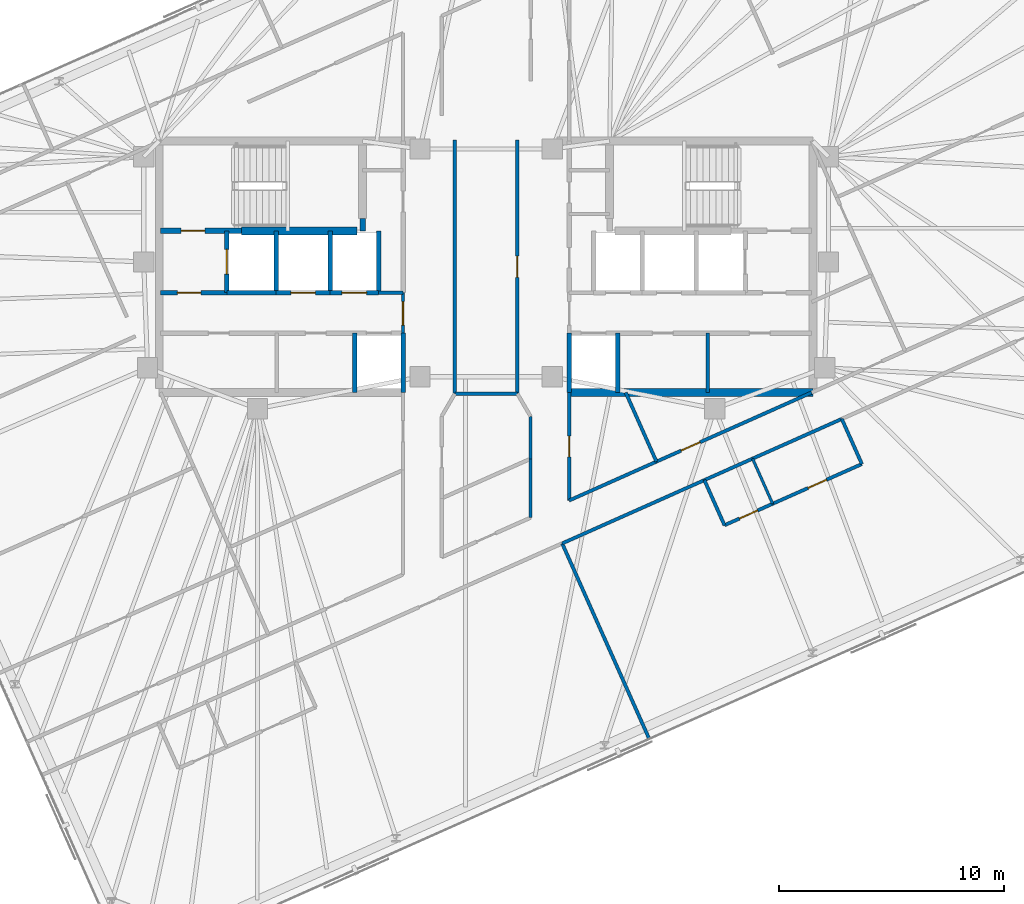
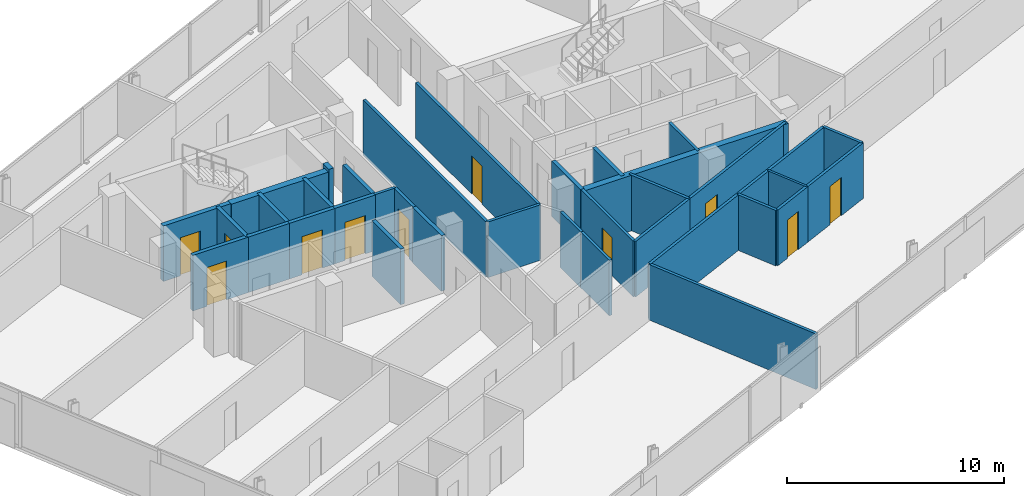
# One storey, part 14 of 18: 37 walls, 11 doors, 11 openings.
"""IFC4 building model written with IfcOpenShell, lengths in metres."""

from ifc_helpers import new_model, si_unit, direction, frame, frame_2d, origin, place, context, subcontext, project, spatial, rectangle, extrude, material, layer, layer_set, type_object, element, fill, save


model = new_model("IFC4")

# Units and contexts
model_context = context("Model", 3, precision=1e-05, world=origin(), true_north=direction((0.0, 1.0)))
body_context = subcontext(model_context, "Body", "Model", "MODEL_VIEW")
ifc_project = project(units=[si_unit("LENGTHUNIT", "METRE"), si_unit("AREAUNIT", "SQUARE_METRE"), si_unit("VOLUMEUNIT", "CUBIC_METRE"), si_unit("PLANEANGLEUNIT", "RADIAN"), si_unit("MASSUNIT", "GRAM", prefix="KILO")], contexts=[model_context])

# Site, building, storey
site_placement = place(None, origin())
site = spatial("IfcSite", under=ifc_project, at=site_placement, CompositionType="ELEMENT")
building_placement = place(site_placement, origin())
building = spatial("IfcBuilding", under=site, at=building_placement, Name="Menara Jurai Vektor", CompositionType="ELEMENT")
storey_placement = place(building_placement, frame((0.0, 0.0, 258.85009765625)))
storey = spatial("IfcBuildingStorey", under=building, at=storey_placement, Name="L69", CompositionType="ELEMENT", Elevation=258.85009765625)

# Wall, opening, door
ifc_material_1 = material(Name="Concrete C40/50", Category="concrete")
ifc_layer_1 = layer(ifc_material_1, 0.25)
ifc_layer_set_1 = layer_set([ifc_layer_1], Name="Concrete C40/50")
wall_type_1 = type_object("IfcWallType", Name="INT-WALL-CORE-250", PredefinedType="STANDARD", material=ifc_layer_set_1)
wall_1_placement = place(storey_placement, frame((-14.5, 1.60009765625, 0.0), z_axis=(0.0, 0.0, 1.0), x_axis=(1.0, 0.0, 0.0)))
wall_1 = element("IfcWall", 1, at=wall_1_placement, inside=storey, type_object=wall_type_1, Name="Interior Wall IW-250 L69", PredefinedType="STANDARD", context=body_context, shape_type="SweptSolid", body=[
    extrude(rectangle(XDim=3.60009765625, YDim=0.25, at=frame_2d((1.800048828125, 0.0))), origin(), (0.0, 0.0, 1.0), 3.125),
])
opening_1_placement = place(wall_1_placement, frame((0.919921875, 0.0, 0.0)))
opening_1 = element("IfcOpeningElement", 2, at=opening_1_placement, cuts=wall_1, Name="Opening D-L69-ST1", PredefinedType="OPENING", context=body_context, shape_type="SweptSolid", body=[
    extrude(rectangle(XDim=1.050048828125, YDim=2.14990234375, at=frame_2d((0.52490234375, 1.074951171875))), frame((0.0, 0.135009765625, 0.0), z_axis=(0.0, -1.0, 0.0), x_axis=(1.0, 0.0, 0.0)), (0.0, 0.0, 1.0), 0.27001953125),
])
ifc_material_2 = material(Name="Fire-Rated Steel Door", Category="steel")
door_type_1 = type_object("IfcDoorType", Name="DR-STAIR-1050", OperationType="NOTDEFINED", PredefinedType="DOOR", material=ifc_material_2)
door_1_placement = place(opening_1_placement, origin())
door_1 = element("IfcDoor", 3, at=door_1_placement, inside=storey, type_object=door_type_1, Name="Exit Stair ST1 Door L69", OperationType="SINGLE_SWING_RIGHT", OverallHeight=2.14990234375, OverallWidth=1.050048828125, PredefinedType="DOOR", context=body_context, shape_type="SweptSolid", body=[
    extrude(rectangle(XDim=1.050048828125, YDim=2.14990234375, at=frame_2d((0.52490234375, 1.074951171875))), frame((0.0, 0.02490234375, 0.0), z_axis=(0.0, -1.0, 0.0), x_axis=(1.0, 0.0, 0.0)), (0.0, 0.0, 1.0), 0.050048828125),
])
fill(opening_1, door_1)

# Wall
wall_2_placement = place(storey_placement, frame((-5.5, 1.60009765625, 0.0), z_axis=(0.0, 0.0, 1.0), x_axis=(0.0, 1.0, 0.0)))
element("IfcWall", 4, at=wall_2_placement, inside=storey, type_object=wall_type_1, Name="Interior Wall IW-250 L69", PredefinedType="STANDARD", context=body_context, shape_type="SweptSolid", body=[
    extrude(rectangle(XDim=0.5498046875, YDim=0.25, at=frame_2d((0.27490234375, 0.0))), origin(), (0.0, 0.0, 1.0), 3.125),
])

# Wall, opening, door
wall_3_placement = place(storey_placement, frame((-11.550048828125, -1.14990234375, 0.0), z_axis=(0.0, 0.0, 1.0), x_axis=(0.0, 1.0, 0.0)))
wall_3 = element("IfcWall", 5, at=wall_3_placement, inside=storey, type_object=wall_type_1, Name="Interior Wall IW-250 L69", PredefinedType="STANDARD", context=body_context, shape_type="SweptSolid", body=[
    extrude(rectangle(XDim=2.75, YDim=0.199951171875, at=frame_2d((1.375, 0.0))), origin(), (0.0, 0.0, 1.0), 3.125),
])
opening_2_placement = place(wall_3_placement, frame((0.824951171875, 0.0, 0.0)))
opening_2 = element("IfcOpeningElement", 6, at=opening_2_placement, cuts=wall_3, Name="Opening LD-L69-FL1", PredefinedType="OPENING", context=body_context, shape_type="SweptSolid", body=[
    extrude(rectangle(XDim=1.10009765625, YDim=2.14990234375, at=frame_2d((0.550048828125, 1.074951171875))), frame((0.0, 0.10986328125, 0.0), z_axis=(0.0, -1.0, 0.0), x_axis=(1.0, 0.0, 0.0)), (0.0, 0.0, 1.0), 0.219970703125),
])
ifc_material_3 = material(Name="Stainless Steel Sliding Lift Landing Door", Category="steel")
door_type_2 = type_object("IfcDoorType", Name="DR-LIFT-FIRE-1100", OperationType="NOTDEFINED", PredefinedType="DOOR", material=ifc_material_3)
door_2_placement = place(opening_2_placement, origin())
door_2 = element("IfcDoor", 7, at=door_2_placement, inside=storey, type_object=door_type_2, Name="Lift Landing Door FL1 L69", OperationType="SLIDING_TO_RIGHT", OverallHeight=2.14990234375, OverallWidth=1.10009765625, PredefinedType="DOOR", context=body_context, shape_type="SweptSolid", body=[
    extrude(rectangle(XDim=1.10009765625, YDim=2.14990234375, at=frame_2d((0.550048828125, 1.074951171875))), frame((0.0, 0.02490234375, 0.0), z_axis=(0.0, -1.0, 0.0), x_axis=(1.0, 0.0, 0.0)), (0.0, 0.0, 1.0), 0.050048828125),
])
fill(opening_2, door_2)

# Wall
wall_4_placement = place(storey_placement, frame((-9.35009765625, -1.14990234375, 0.0), z_axis=(0.0, 0.0, 1.0), x_axis=(0.0, 1.0, 0.0)))
element("IfcWall", 8, at=wall_4_placement, inside=storey, type_object=wall_type_1, Name="Interior Wall IW-250 L69", PredefinedType="STANDARD", context=body_context, shape_type="SweptSolid", body=[
    extrude(rectangle(XDim=2.75, YDim=0.199951171875, at=frame_2d((1.375, 0.0))), origin(), (0.0, 0.0, 1.0), 3.125),
])

# Wall, opening, door
wall_5_placement = place(storey_placement, frame((-14.5, -1.14990234375, 0.0), z_axis=(0.0, 0.0, 1.0), x_axis=(1.0, 0.0, 0.0)))
wall_5 = element("IfcWall", 9, at=wall_5_placement, inside=storey, type_object=wall_type_1, Name="Interior Wall IW-250 L69", PredefinedType="STANDARD", context=body_context, shape_type="SweptSolid", body=[
    extrude(rectangle(XDim=2.949951171875, YDim=0.199951171875, at=frame_2d((1.47509765625, 0.0))), origin(), (0.0, 0.0, 1.0), 3.125),
])
opening_3_placement = place(wall_5_placement, frame((0.75, 0.0, 0.0)))
opening_3 = element("IfcOpeningElement", 10, at=opening_3_placement, cuts=wall_5, Name="Opening D-L69-FFW", PredefinedType="OPENING", context=body_context, shape_type="SweptSolid", body=[
    extrude(rectangle(XDim=1.050048828125, YDim=2.179931640625, at=frame_2d((0.52490234375, 1.08984375))), frame((0.0, 0.10986328125, 0.0), z_axis=(0.0, -1.0, 0.0), x_axis=(1.0, 0.0, 0.0)), (0.0, 0.0, 1.0), 0.219970703125),
])
ifc_material_4 = material(Name="Fire-Rated Timber Door", Category="wood")
door_type_3 = type_object("IfcDoorType", Name="DR-LOBBY-1050", OperationType="NOTDEFINED", PredefinedType="DOOR", material=ifc_material_4)
door_3_placement = place(opening_3_placement, origin())
door_3 = element("IfcDoor", 11, at=door_3_placement, inside=storey, type_object=door_type_3, Name="Fire Lift Lobby Door W L69", OperationType="SINGLE_SWING_RIGHT", OverallHeight=2.179931640625, OverallWidth=1.050048828125, PredefinedType="DOOR", context=body_context, shape_type="SweptSolid", body=[
    extrude(rectangle(XDim=1.050048828125, YDim=2.179931640625, at=frame_2d((0.52490234375, 1.08984375))), frame((0.0, 0.02490234375, 0.0), z_axis=(0.0, -1.0, 0.0), x_axis=(1.0, 0.0, 0.0)), (0.0, 0.0, 1.0), 0.050048828125),
])
fill(opening_3, door_3)

# Wall
wall_6_placement = place(storey_placement, frame((-11.550048828125, -1.14990234375, 0.0), z_axis=(0.0, 0.0, 1.0), x_axis=(1.0, 0.0, 0.0)))
element("IfcWall", 12, at=wall_6_placement, inside=storey, type_object=wall_type_1, Name="Interior Wall IW-250 L69", PredefinedType="STANDARD", context=body_context, shape_type="SweptSolid", body=[
    extrude(rectangle(XDim=2.199951171875, YDim=0.199951171875, at=frame_2d((1.10009765625, 0.0))), origin(), (0.0, 0.0, 1.0), 3.125),
])

# Wall, opening, door
ifc_material_5 = material(Name="Gypsum Fireboard Partition", Category="gypsum")
ifc_layer_2 = layer(ifc_material_5, 0.14990234375)
ifc_layer_set_2 = layer_set([ifc_layer_2], Name="Gypsum Fireboard Partition")
wall_type_2 = type_object("IfcWallType", Name="INT-WALL-CORR-150", PredefinedType="PARTITIONING", material=ifc_layer_set_2)
wall_7_placement = place(storey_placement, frame((-3.699951171875, -2.949951171875, 0.0), z_axis=(0.0, 0.0, 1.0), x_axis=(0.0, 1.0, 0.0)))
wall_7 = element("IfcWall", 13, at=wall_7_placement, inside=storey, type_object=wall_type_2, Name="Interior Wall IW-150 L69", PredefinedType="PARTITIONING", context=body_context, shape_type="SweptSolid", body=[
    extrude(rectangle(XDim=1.800048828125, YDim=0.14990234375, at=frame_2d((0.89990234375, 0.0))), origin(), (0.0, 0.0, 1.0), 3.125),
])
opening_4_placement = place(wall_7_placement, frame((0.35009765625, 0.0, 0.0)))
opening_4 = element("IfcOpeningElement", 14, at=opening_4_placement, cuts=wall_7, Name="Opening D-L69-LLW", PredefinedType="OPENING", context=body_context, shape_type="SweptSolid", body=[
    extrude(rectangle(XDim=1.050048828125, YDim=2.179931640625, at=frame_2d((0.52490234375, 1.08984375))), frame((0.0, 0.0849609375, 0.0), z_axis=(0.0, -1.0, 0.0), x_axis=(1.0, 0.0, 0.0)), (0.0, 0.0, 1.0), 0.169921875),
])
door_4_placement = place(opening_4_placement, origin())
door_4 = element("IfcDoor", 15, at=door_4_placement, inside=storey, type_object=door_type_3, Name="Lift Lobby Corridor Door W L69", OperationType="SINGLE_SWING_LEFT", OverallHeight=2.179931640625, OverallWidth=1.050048828125, PredefinedType="DOOR", context=body_context, shape_type="SweptSolid", body=[
    extrude(rectangle(XDim=1.050048828125, YDim=2.179931640625, at=frame_2d((0.52490234375, 1.08984375))), frame((0.0, 0.02490234375, 0.0), z_axis=(0.0, -1.0, 0.0), x_axis=(1.0, 0.0, 0.0)), (0.0, 0.0, 1.0), 0.050048828125),
])
fill(opening_4, door_4)

# Walls
wall_8_placement = place(storey_placement, frame((-4.7900390625, -1.14990234375, 0.0), z_axis=(0.0, 0.0, 1.0), x_axis=(1.0, 0.0, 0.0)))
element("IfcWall", 16, at=wall_8_placement, inside=storey, type_object=wall_type_2, Name="Interior Wall IW-150 L69", PredefinedType="PARTITIONING", context=body_context, shape_type="SweptSolid", body=[
    extrude(rectangle(XDim=1.090087890625, YDim=0.14990234375, at=frame_2d((0.544921875, 0.0))), origin(), (0.0, 0.0, 1.0), 3.125),
])
wall_9_placement = place(storey_placement, frame((9.8798828125, -5.60009765625, 0.0), z_axis=(0.0, 0.0, 1.0), x_axis=(0.0, 1.0, 0.0)))
element("IfcWall", 17, at=wall_9_placement, inside=storey, type_object=wall_type_2, Name="Interior Wall IW-150 L69", PredefinedType="PARTITIONING", context=body_context, shape_type="SweptSolid", body=[
    extrude(rectangle(XDim=2.650146484375, YDim=0.14990234375, at=frame_2d((1.3251953125, 0.0))), origin(), (0.0, 0.0, 1.0), 3.125),
])
wall_10_placement = place(storey_placement, frame((-1.390869140625, -5.64990234375, 0.0), z_axis=(0.0, 0.0, 1.0), x_axis=(-2.1605738e-05, 0.999999999767, 0.0)))
element("IfcWall", 18, at=wall_10_placement, inside=storey, type_object=wall_type_2, Name="Interior Wall IW-150 L69", PredefinedType="PARTITIONING", context=body_context, shape_type="SweptSolid", body=[
    extrude(rectangle(XDim=11.2998046875, YDim=0.14990234375, at=frame_2d((5.64990234375, 0.0))), origin(), (0.0, 0.0, 1.0), 3.125),
])

# Wall, opening, door
wall_11_placement = place(storey_placement, frame((1.390869140625, -5.650390625, 0.0), z_axis=(0.0, 0.0, 1.0), x_axis=(4.3206809e-05, 0.999999999067, 0.0)))
wall_11 = element("IfcWall", 19, at=wall_11_placement, inside=storey, type_object=wall_type_2, Name="Interior Wall IW-150 L69", PredefinedType="PARTITIONING", context=body_context, shape_type="SweptSolid", body=[
    extrude(rectangle(XDim=11.301025390625, YDim=0.14990234375, at=frame_2d((5.650390625, 0.0))), origin(), (0.0, 0.0, 1.0), 3.125),
])
opening_5_placement = place(wall_11_placement, frame((5.175537109375, 0.0, 0.0)))
opening_5 = element("IfcOpeningElement", 20, at=opening_5_placement, cuts=wall_11, Name="Opening D69-08", PredefinedType="OPENING", context=body_context, shape_type="SweptSolid", body=[
    extrude(rectangle(XDim=0.949951171875, YDim=2.14990234375, at=frame_2d((0.47509765625, 1.074951171875))), frame((0.0, 0.0849609375, 0.0), z_axis=(0.0, -1.0, 0.0), x_axis=(1.0, 0.0, 0.0)), (0.0, 0.0, 1.0), 0.169921875),
])
ifc_material_6 = material(Name="Solid Core Timber Fire Door", Category="wood")
door_type_4 = type_object("IfcDoorType", Name="DR-ENTRY-950", OperationType="NOTDEFINED", PredefinedType="DOOR", material=ifc_material_6)
door_5_placement = place(opening_5_placement, origin())
door_5 = element("IfcDoor", 21, at=door_5_placement, inside=storey, type_object=door_type_4, Name="Interior Door D69-08", OperationType="SINGLE_SWING_LEFT", OverallHeight=2.14990234375, OverallWidth=0.949951171875, PredefinedType="DOOR", context=body_context, shape_type="SweptSolid", body=[
    extrude(rectangle(XDim=0.949951171875, YDim=2.14990234375, at=frame_2d((0.47509765625, 1.074951171875))), frame((0.0, 0.02490234375, 0.0), z_axis=(0.0, -1.0, 0.0), x_axis=(1.0, 0.0, 0.0)), (0.0, 0.0, 1.0), 0.050048828125),
])
fill(opening_5, door_5)

# Walls
wall_12_placement = place(storey_placement, frame((3.388427734375, -12.320556640625, 0.0), z_axis=(0.0, 0.0, 1.0), x_axis=(0.913552886643, 0.406719956857, 0.0)))
element("IfcWall", 22, at=wall_12_placement, inside=storey, type_object=wall_type_2, Name="Interior Wall IW-150 L69", PredefinedType="PARTITIONING", context=body_context, shape_type="SweptSolid", body=[
    extrude(rectangle(XDim=6.93310546875, YDim=0.14990234375, at=frame_2d((3.466552734375, 0.0))), origin(), (0.0, 0.0, 1.0), 3.125),
])
wall_13_placement = place(storey_placement, frame((9.72216796875, -9.500732421875, 0.0), z_axis=(0.0, 0.0, 1.0), x_axis=(0.913541436194, 0.406745675276, 0.0)))
element("IfcWall", 23, at=wall_13_placement, inside=storey, type_object=wall_type_2, Name="Interior Wall IW-150 L69", PredefinedType="PARTITIONING", context=body_context, shape_type="SweptSolid", body=[
    extrude(rectangle(XDim=2.349853515625, YDim=0.14990234375, at=frame_2d((1.1748046875, 0.0))), origin(), (0.0, 0.0, 1.0), 3.125),
])
wall_14_placement = place(storey_placement, frame((11.868896484375, -8.544921875, 0.0), z_axis=(0.0, 0.0, 1.0), x_axis=(0.913554477336, 0.406716383908, 0.0)))
element("IfcWall", 24, at=wall_14_placement, inside=storey, type_object=wall_type_2, Name="Interior Wall IW-150 L69", PredefinedType="PARTITIONING", context=body_context, shape_type="SweptSolid", body=[
    extrude(rectangle(XDim=4.35009765625, YDim=0.14990234375, at=frame_2d((2.175048828125, 0.0))), origin(), (0.0, 0.0, 1.0), 3.125),
])

# Wall, opening, door
wall_15_placement = place(storey_placement, frame((3.69970703125, -10.40869140625, 0.0), z_axis=(0.0, 0.0, 1.0), x_axis=(5.0769153e-05, 0.999999998711, 0.0)))
wall_15 = element("IfcWall", 25, at=wall_15_placement, inside=storey, type_object=wall_type_2, Name="Interior Wall IW-150 L69", PredefinedType="PARTITIONING", context=body_context, shape_type="SweptSolid", body=[
    extrude(rectangle(XDim=4.808837890625, YDim=0.14990234375, at=frame_2d((2.404296875, 0.0))), origin(), (0.0, 0.0, 1.0), 3.125),
])
opening_6_placement = place(wall_15_placement, frame((1.9443359375, 0.0, 0.0)))
opening_6 = element("IfcOpeningElement", 26, at=opening_6_placement, cuts=wall_15, Name="Opening D69-24", PredefinedType="OPENING", context=body_context, shape_type="SweptSolid", body=[
    extrude(rectangle(XDim=0.919921875, YDim=2.14990234375, at=frame_2d((0.4599609375, 1.074951171875))), frame((0.0, 0.0849609375, 0.0), z_axis=(0.0, -1.0, 0.0), x_axis=(1.0, 0.0, 0.0)), (0.0, 0.0, 1.0), 0.169921875),
])
door_6_placement = place(opening_6_placement, origin())
door_6 = element("IfcDoor", 27, at=door_6_placement, inside=storey, type_object=door_type_4, Name="Interior Door D69-24", OperationType="SINGLE_SWING_LEFT", OverallHeight=2.14990234375, OverallWidth=0.919921875, PredefinedType="DOOR", context=body_context, shape_type="SweptSolid", body=[
    extrude(rectangle(XDim=0.919921875, YDim=2.14990234375, at=frame_2d((0.4599609375, 1.074951171875))), frame((0.0, 0.02490234375, 0.0), z_axis=(0.0, -1.0, 0.0), x_axis=(1.0, 0.0, 0.0)), (0.0, 0.0, 1.0), 0.050048828125),
])
fill(opening_6, door_6)

# Wall
wall_16_placement = place(storey_placement, frame((3.69970703125, -10.40869140625, 0.0), z_axis=(0.0, 0.0, 1.0), x_axis=(0.91353932002, 0.406750428122, 0.0)))
element("IfcWall", 28, at=wall_16_placement, inside=storey, type_object=wall_type_2, Name="Interior Wall IW-150 L69", PredefinedType="PARTITIONING", context=body_context, shape_type="SweptSolid", body=[
    extrude(rectangle(XDim=4.256103515625, YDim=0.14990234375, at=frame_2d((2.1279296875, 0.0))), origin(), (0.0, 0.0, 1.0), 3.125),
])

# Wall, opening, door
wall_17_placement = place(storey_placement, frame((7.587890625, -8.677490234375, 0.0), z_axis=(0.0, 0.0, 1.0), x_axis=(0.913555880467, 0.406713232221, 0.0)))
wall_17 = element("IfcWall", 29, at=wall_17_placement, inside=storey, type_object=wall_type_2, Name="Interior Wall IW-150 L69", PredefinedType="PARTITIONING", context=body_context, shape_type="SweptSolid", body=[
    extrude(rectangle(XDim=7.56591796875, YDim=0.14990234375, at=frame_2d((3.782958984375, 0.0))), origin(), (0.0, 0.0, 1.0), 3.125),
])
opening_7_placement = place(wall_17_placement, frame((1.20458984375, 0.0, 0.0)))
opening_7 = element("IfcOpeningElement", 30, at=opening_7_placement, cuts=wall_17, Name="Opening D69-25", PredefinedType="OPENING", context=body_context, shape_type="SweptSolid", body=[
    extrude(rectangle(XDim=0.919921875, YDim=2.14990234375, at=frame_2d((0.4599609375, 1.074951171875))), frame((0.0, 0.0849609375, 0.0), z_axis=(0.0, -1.0, 0.0), x_axis=(1.0, 0.0, 0.0)), (0.0, 0.0, 1.0), 0.169921875),
])
door_7_placement = place(opening_7_placement, origin())
door_7 = element("IfcDoor", 31, at=door_7_placement, inside=storey, type_object=door_type_4, Name="Interior Door D69-25", OperationType="SINGLE_SWING_RIGHT", OverallHeight=2.14990234375, OverallWidth=0.919921875, PredefinedType="DOOR", context=body_context, shape_type="SweptSolid", body=[
    extrude(rectangle(XDim=0.919921875, YDim=2.14990234375, at=frame_2d((0.4599609375, 1.074951171875))), frame((0.0, 0.02490234375, 0.0), z_axis=(0.0, -1.0, 0.0), x_axis=(1.0, 0.0, 0.0)), (0.0, 0.0, 1.0), 0.050048828125),
])
fill(opening_7, door_7)

# Walls
wall_18_placement = place(storey_placement, frame((1.9794921875, -11.174560546875, 0.0), z_axis=(0.0, 0.0, 1.0), x_axis=(0.0, 1.0, 0.0)))
element("IfcWall", 32, at=wall_18_placement, inside=storey, type_object=wall_type_2, Name="Interior Wall IW-150 L69", PredefinedType="PARTITIONING", context=body_context, shape_type="SweptSolid", body=[
    extrude(rectangle(XDim=2.623779296875, YDim=0.14990234375, at=frame_2d((1.31201171875, 0.0))), origin(), (0.0, 0.0, 1.0), 3.125),
])
wall_19_placement = place(storey_placement, frame((1.9794921875, -8.55078125, 0.0), z_axis=(0.0, 0.0, 1.0), x_axis=(0.00025809781, 0.999999966693, 0.0)))
element("IfcWall", 33, at=wall_19_placement, inside=storey, type_object=wall_type_2, Name="Interior Wall IW-150 L69", PredefinedType="PARTITIONING", context=body_context, shape_type="SweptSolid", body=[
    extrude(rectangle(XDim=1.891845703125, YDim=0.14990234375, at=frame_2d((0.94580078125, 0.0))), origin(), (0.0, 0.0, 1.0), 3.125),
])
wall_20_placement = place(storey_placement, frame((-1.390869140625, -5.64990234375, 0.0), z_axis=(0.0, 0.0, 1.0), x_axis=(0.999999984594, -0.000175530979, 0.0)))
element("IfcWall", 34, at=wall_20_placement, inside=storey, type_object=wall_type_2, Name="Interior Wall IW-150 L69", PredefinedType="PARTITIONING", context=body_context, shape_type="SweptSolid", body=[
    extrude(rectangle(XDim=2.78173828125, YDim=0.14990234375, at=frame_2d((1.390869140625, 0.0))), origin(), (0.0, 0.0, 1.0), 3.125),
])
wall_21_placement = place(storey_placement, frame((7.266845703125, -21.03125, 0.0), z_axis=(0.0, 0.0, 1.0), x_axis=(-0.406751296215, 0.913538933504, 0.0)))
element("IfcWall", 35, at=wall_21_placement, inside=storey, type_object=wall_type_2, Name="Interior Wall IW-150 L69", PredefinedType="PARTITIONING", context=body_context, shape_type="SweptSolid", body=[
    extrude(rectangle(XDim=9.53515625, YDim=0.14990234375, at=frame_2d((4.767578125, 0.0))), origin(), (0.0, 0.0, 1.0), 3.125),
])
wall_22_placement = place(storey_placement, frame((10.616943359375, -11.510498046875, 0.0), z_axis=(0.0, 0.0, 1.0), x_axis=(-0.406725294076, 0.913550510459, 0.0)))
element("IfcWall", 36, at=wall_22_placement, inside=storey, type_object=wall_type_2, Name="Interior Wall IW-150 L69", PredefinedType="PARTITIONING", context=body_context, shape_type="SweptSolid", body=[
    extrude(rectangle(XDim=2.199951171875, YDim=0.14990234375, at=frame_2d((1.10009765625, 0.0))), origin(), (0.0, 0.0, 1.0), 3.125),
])

# Wall, opening, door
wall_23_placement = place(storey_placement, frame((10.616943359375, -11.510498046875, 0.0), z_axis=(0.0, 0.0, 1.0), x_axis=(0.913558622212, 0.406707073682, 0.0)))
wall_23 = element("IfcWall", 37, at=wall_23_placement, inside=storey, type_object=wall_type_2, Name="Interior Wall IW-150 L69", PredefinedType="PARTITIONING", context=body_context, shape_type="SweptSolid", body=[
    extrude(rectangle(XDim=2.35009765625, YDim=0.14990234375, at=frame_2d((1.175048828125, 0.0))), origin(), (0.0, 0.0, 1.0), 3.125),
])
opening_8_placement = place(wall_23_placement, frame((0.735107421875, 0.0, 0.0)))
opening_8 = element("IfcOpeningElement", 38, at=opening_8_placement, cuts=wall_23, Name="Opening D69-16", PredefinedType="OPENING", context=body_context, shape_type="SweptSolid", body=[
    extrude(rectangle(XDim=0.8798828125, YDim=2.14990234375, at=frame_2d((0.43994140625, 1.074951171875))), frame((0.0, 0.0849609375, 0.0), z_axis=(0.0, -1.0, 0.0), x_axis=(1.0, 0.0, 0.0)), (0.0, 0.0, 1.0), 0.169921875),
])
ifc_material_7 = material(Name="Moisture-Resistant Timber Door", Category="wood")
door_type_5 = type_object("IfcDoorType", Name="DR-BATH-880", OperationType="NOTDEFINED", PredefinedType="DOOR", material=ifc_material_7)
door_8_placement = place(opening_8_placement, origin())
door_8 = element("IfcDoor", 39, at=door_8_placement, inside=storey, type_object=door_type_5, Name="Interior Door D69-16", OperationType="SINGLE_SWING_LEFT", OverallHeight=2.14990234375, OverallWidth=0.8798828125, PredefinedType="DOOR", context=body_context, shape_type="SweptSolid", body=[
    extrude(rectangle(XDim=0.8798828125, YDim=2.14990234375, at=frame_2d((0.43994140625, 1.074951171875))), frame((0.0, 0.02490234375, 0.0), z_axis=(0.0, -1.0, 0.0), x_axis=(1.0, 0.0, 0.0)), (0.0, 0.0, 1.0), 0.050048828125),
])
fill(opening_8, door_8)

wall_24_placement = place(storey_placement, frame((12.763916015625, -10.5546875, 0.0), z_axis=(0.0, 0.0, 1.0), x_axis=(0.913545193015, 0.406737237438, 0.0)))
wall_24 = element("IfcWall", 40, at=wall_24_placement, inside=storey, type_object=wall_type_2, Name="Interior Wall IW-150 L69", PredefinedType="PARTITIONING", context=body_context, shape_type="SweptSolid", body=[
    extrude(rectangle(XDim=4.349853515625, YDim=0.14990234375, at=frame_2d((2.1748046875, 0.0))), origin(), (0.0, 0.0, 1.0), 3.125),
])
opening_9_placement = place(wall_24_placement, frame((1.72509765625, 0.0, 0.0)))
opening_9 = element("IfcOpeningElement", 41, at=opening_9_placement, cuts=wall_24, Name="Opening D69-17", PredefinedType="OPENING", context=body_context, shape_type="SweptSolid", body=[
    extrude(rectangle(XDim=0.89990234375, YDim=2.14990234375, at=frame_2d((0.449951171875, 1.074951171875))), frame((0.0, 0.0849609375, 0.0), z_axis=(0.0, -1.0, 0.0), x_axis=(1.0, 0.0, 0.0)), (0.0, 0.0, 1.0), 0.169921875),
])
ifc_material_8 = material(Name="Acoustic Timber Interior Door", Category="wood")
door_type_6 = type_object("IfcDoorType", Name="DR-ROOM-900", OperationType="NOTDEFINED", PredefinedType="DOOR", material=ifc_material_8)
door_9_placement = place(opening_9_placement, origin())
door_9 = element("IfcDoor", 42, at=door_9_placement, inside=storey, type_object=door_type_6, Name="Interior Door D69-17", OperationType="SINGLE_SWING_RIGHT", OverallHeight=2.14990234375, OverallWidth=0.89990234375, PredefinedType="DOOR", context=body_context, shape_type="SweptSolid", body=[
    extrude(rectangle(XDim=0.89990234375, YDim=2.14990234375, at=frame_2d((0.449951171875, 1.074951171875))), frame((0.0, 0.02490234375, 0.0), z_axis=(0.0, -1.0, 0.0), x_axis=(1.0, 0.0, 0.0)), (0.0, 0.0, 1.0), 0.050048828125),
])
fill(opening_9, door_9)

# Walls
wall_25_placement = place(storey_placement, frame((16.73779296875, -8.785400390625, 0.0), z_axis=(0.0, 0.0, 1.0), x_axis=(-0.406725294076, 0.913550510459, 0.0)))
element("IfcWall", 43, at=wall_25_placement, inside=storey, type_object=wall_type_2, Name="Interior Wall IW-150 L69", PredefinedType="PARTITIONING", context=body_context, shape_type="SweptSolid", body=[
    extrude(rectangle(XDim=2.199951171875, YDim=0.14990234375, at=frame_2d((1.10009765625, 0.0))), origin(), (0.0, 0.0, 1.0), 3.125),
])
wall_26_placement = place(storey_placement, frame((7.587890625, -8.677490234375, 0.0), z_axis=(0.0, 0.0, 1.0), x_axis=(-0.406763688861, 0.913533415603, 0.0)))
element("IfcWall", 44, at=wall_26_placement, inside=storey, type_object=wall_type_2, Name="Interior Wall IW-150 L69", PredefinedType="PARTITIONING", context=body_context, shape_type="SweptSolid", body=[
    extrude(rectangle(XDim=3.368896484375, YDim=0.14990234375, at=frame_2d((1.6845703125, 0.0))), origin(), (0.0, 0.0, 1.0), 3.125),
])
ifc_material_9 = material(Name="Gypsum Acoustic Stud Partition", Category="gypsum")
ifc_layer_3 = layer(ifc_material_9, 0.1201171875)
ifc_layer_set_3 = layer_set([ifc_layer_3], Name="Gypsum Acoustic Stud Partition")
wall_type_3 = type_object("IfcWallType", Name="INT-WALL-PART-120", PredefinedType="PARTITIONING", material=ifc_layer_set_3)
wall_27_placement = place(storey_placement, frame((12.763916015625, -10.5546875, 0.0), z_axis=(0.0, 0.0, 1.0), x_axis=(-0.406817905151, 0.913509273105, 0.0)))
element("IfcWall", 45, at=wall_27_placement, inside=storey, type_object=wall_type_3, Name="Interior Wall IW-120 L69", PredefinedType="PARTITIONING", context=body_context, shape_type="SweptSolid", body=[
    extrude(rectangle(XDim=2.199951171875, YDim=0.1201171875, at=frame_2d((1.10009765625, 0.0))), origin(), (0.0, 0.0, 1.0), 3.125),
])
ifc_layer_4 = layer(ifc_material_1, 0.199951171875)
ifc_layer_set_4 = layer_set([ifc_layer_4], Name="Concrete C40/50")
wall_type_4 = type_object("IfcWallType", Name="INT-WALL-SHAFT-200", PredefinedType="STANDARD", material=ifc_layer_set_4)
wall_28_placement = place(storey_placement, frame((-3.699951171875, -5.60009765625, 0.0), z_axis=(0.0, 0.0, 1.0), x_axis=(0.0, 1.0, 0.0)))
element("IfcWall", 46, at=wall_28_placement, inside=storey, type_object=wall_type_4, Name="Interior Wall IW-200 L69", PredefinedType="STANDARD", context=body_context, shape_type="SweptSolid", body=[
    extrude(rectangle(XDim=2.650146484375, YDim=0.199951171875, at=frame_2d((1.3251953125, 0.0))), origin(), (0.0, 0.0, 1.0), 3.125),
])
wall_29_placement = place(storey_placement, frame((-6.949951171875, -1.14990234375, 0.0), z_axis=(0.0, 0.0, 1.0), x_axis=(0.0, 1.0, 0.0)))
element("IfcWall", 47, at=wall_29_placement, inside=storey, type_object=wall_type_4, Name="Interior Wall IW-200 L69", PredefinedType="STANDARD", context=body_context, shape_type="SweptSolid", body=[
    extrude(rectangle(XDim=2.75, YDim=0.199951171875, at=frame_2d((1.375, 0.0))), origin(), (0.0, 0.0, 1.0), 3.125),
])

# Wall, opening, door
wall_30_placement = place(storey_placement, frame((-9.35009765625, -1.14990234375, 0.0), z_axis=(0.0, 0.0, 1.0), x_axis=(1.0, 0.0, 0.0)))
wall_30 = element("IfcWall", 48, at=wall_30_placement, inside=storey, type_object=wall_type_4, Name="Interior Wall IW-200 L69", PredefinedType="STANDARD", context=body_context, shape_type="SweptSolid", body=[
    extrude(rectangle(XDim=2.400146484375, YDim=0.199951171875, at=frame_2d((1.2001953125, 0.0))), origin(), (0.0, 0.0, 1.0), 3.125),
])
opening_10_placement = place(wall_30_placement, frame((0.64990234375, 0.0, 0.0)))
opening_10 = element("IfcOpeningElement", 49, at=opening_10_placement, cuts=wall_30, Name="Opening LD-L69-SVL1", PredefinedType="OPENING", context=body_context, shape_type="SweptSolid", body=[
    extrude(rectangle(XDim=1.10009765625, YDim=2.14990234375, at=frame_2d((0.550048828125, 1.074951171875))), frame((0.0, 0.10986328125, 0.0), z_axis=(0.0, -1.0, 0.0), x_axis=(1.0, 0.0, 0.0)), (0.0, 0.0, 1.0), 0.219970703125),
])
ifc_material_10 = material(Name="Anodised Stainless Sliding Lift Landing Door", Category="steel")
door_type_7 = type_object("IfcDoorType", Name="DR-LIFT-PASS-1100", OperationType="NOTDEFINED", PredefinedType="DOOR", material=ifc_material_10)
door_10_placement = place(opening_10_placement, origin())
door_10 = element("IfcDoor", 50, at=door_10_placement, inside=storey, type_object=door_type_7, Name="Lift Landing Door SVL1 L69", OperationType="SLIDING_TO_RIGHT", OverallHeight=2.14990234375, OverallWidth=1.10009765625, PredefinedType="DOOR", context=body_context, shape_type="SweptSolid", body=[
    extrude(rectangle(XDim=1.10009765625, YDim=2.14990234375, at=frame_2d((0.550048828125, 1.074951171875))), frame((0.0, 0.02490234375, 0.0), z_axis=(0.0, -1.0, 0.0), x_axis=(1.0, 0.0, 0.0)), (0.0, 0.0, 1.0), 0.050048828125),
])
fill(opening_10, door_10)

# Wall
wall_31_placement = place(storey_placement, frame((-4.7900390625, -1.14990234375, 0.0), z_axis=(0.0, 0.0, 1.0), x_axis=(0.0, 1.0, 0.0)))
element("IfcWall", 51, at=wall_31_placement, inside=storey, type_object=wall_type_4, Name="Interior Wall IW-200 L69", PredefinedType="STANDARD", context=body_context, shape_type="SweptSolid", body=[
    extrude(rectangle(XDim=2.75, YDim=0.199951171875, at=frame_2d((1.375, 0.0))), origin(), (0.0, 0.0, 1.0), 3.125),
])

# Wall, opening, door
wall_32_placement = place(storey_placement, frame((-6.949951171875, -1.14990234375, 0.0), z_axis=(0.0, 0.0, 1.0), x_axis=(1.0, 0.0, 0.0)))
wall_32 = element("IfcWall", 52, at=wall_32_placement, inside=storey, type_object=wall_type_4, Name="Interior Wall IW-200 L69", PredefinedType="STANDARD", context=body_context, shape_type="SweptSolid", body=[
    extrude(rectangle(XDim=2.159912109375, YDim=0.199951171875, at=frame_2d((1.080078125, 0.0))), origin(), (0.0, 0.0, 1.0), 3.125),
])
opening_11_placement = place(wall_32_placement, frame((0.530029296875, 0.0, 0.0)))
opening_11 = element("IfcOpeningElement", 53, at=opening_11_placement, cuts=wall_32, Name="Opening LD-L69-PH2", PredefinedType="OPENING", context=body_context, shape_type="SweptSolid", body=[
    extrude(rectangle(XDim=1.10009765625, YDim=2.14990234375, at=frame_2d((0.550048828125, 1.074951171875))), frame((0.0, 0.10986328125, 0.0), z_axis=(0.0, -1.0, 0.0), x_axis=(1.0, 0.0, 0.0)), (0.0, 0.0, 1.0), 0.219970703125),
])
door_11_placement = place(opening_11_placement, origin())
door_11 = element("IfcDoor", 54, at=door_11_placement, inside=storey, type_object=door_type_7, Name="Lift Landing Door PH2 L69", OperationType="SLIDING_TO_RIGHT", OverallHeight=2.14990234375, OverallWidth=1.10009765625, PredefinedType="DOOR", context=body_context, shape_type="SweptSolid", body=[
    extrude(rectangle(XDim=1.10009765625, YDim=2.14990234375, at=frame_2d((0.550048828125, 1.074951171875))), frame((0.0, 0.02490234375, 0.0), z_axis=(0.0, -1.0, 0.0), x_axis=(1.0, 0.0, 0.0)), (0.0, 0.0, 1.0), 0.050048828125),
])
fill(opening_11, door_11)

# Walls
for number, where, z_axis, x_axis, name in (
    (55, (-5.860107421875, -5.60009765625, 0.0), (0.0, 0.0, 1.0), (0.0, 1.0, 0.0), "Interior Wall IW-200 L69"),
    (56, (3.699951171875, -5.60009765625, 0.0), (0.0, 0.0, 1.0), (0.0, 1.0, 0.0), "Interior Wall IW-200 L69"),
    (57, (5.860107421875, -5.60009765625, 0.0), (0.0, 0.0, 1.0), (0.0, 1.0, 0.0), "Interior Wall IW-200 L69"),
):
    element("IfcWall", number, at=place(storey_placement, frame(where, z_axis=z_axis, x_axis=x_axis)), inside=storey, type_object=wall_type_4, Name=name, PredefinedType="STANDARD", context=body_context, shape_type="SweptSolid", body=[
        extrude(rectangle(XDim=2.650146484375, YDim=0.199951171875, at=frame_2d((1.3251953125, 0.0))), origin(), (0.0, 0.0, 1.0), 3.125),
    ])
ifc_material_11 = material(Name="Concrete C50/60", Category="concrete")
ifc_layer_5 = layer(ifc_material_11, 0.35009765625)
ifc_layer_set_5 = layer_set([ifc_layer_5], Name="Concrete C50/60")
wall_type_5 = type_object("IfcWallType", Name="STR-WALL-CORE350", PredefinedType="SHEAR", material=ifc_layer_set_5)
wall_33_placement = place(storey_placement, frame((-10.89990234375, 1.60009765625, 0.0), z_axis=(0.0, 0.0, 1.0), x_axis=(1.0, 0.0, 0.0)))
element("IfcWall", 58, at=wall_33_placement, inside=storey, type_object=wall_type_5, Name="Core Shear Wall CW-W-STS L69", PredefinedType="SHEAR", context=body_context, shape_type="SweptSolid", body=[
    extrude(rectangle(XDim=5.14990234375, YDim=0.35009765625, at=frame_2d((2.574951171875, 0.0))), origin(), (0.0, 0.0, 1.0), 3.125),
])
wall_34_placement = place(storey_placement, frame((3.699951171875, -5.60009765625, 0.0), z_axis=(0.0, 0.0, 1.0), x_axis=(1.0, 0.0, 0.0)))
element("IfcWall", 59, at=wall_34_placement, inside=storey, type_object=wall_type_5, Name="Core Shear Wall CW-E-S L69", PredefinedType="SHEAR", context=body_context, shape_type="SweptSolid", body=[
    extrude(rectangle(XDim=10.860107421875, YDim=0.35009765625, at=frame_2d((5.43017578125, 0.0))), origin(), (0.0, 0.0, 1.0), 3.125),
])

save(model, "model.ifc")
